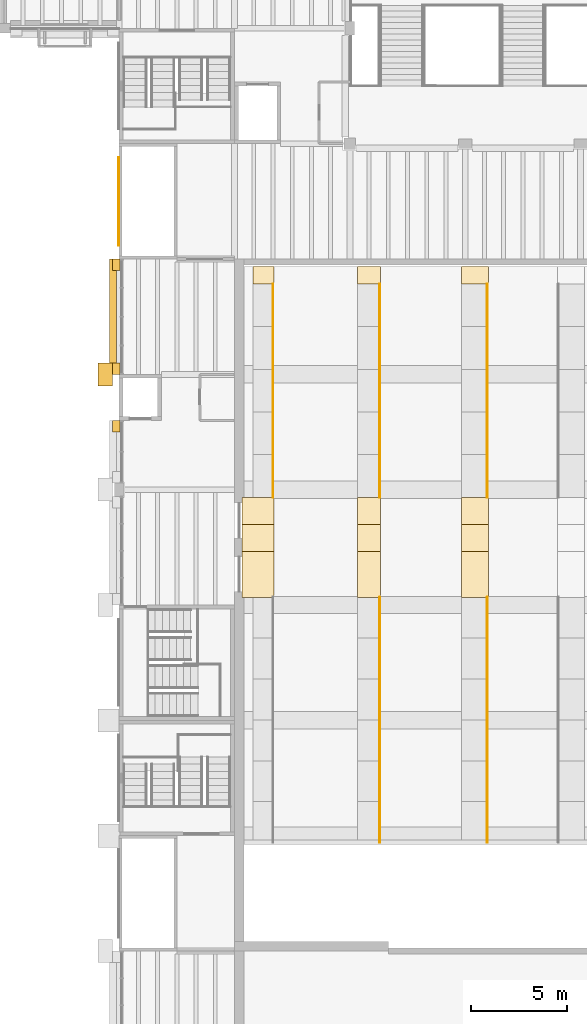
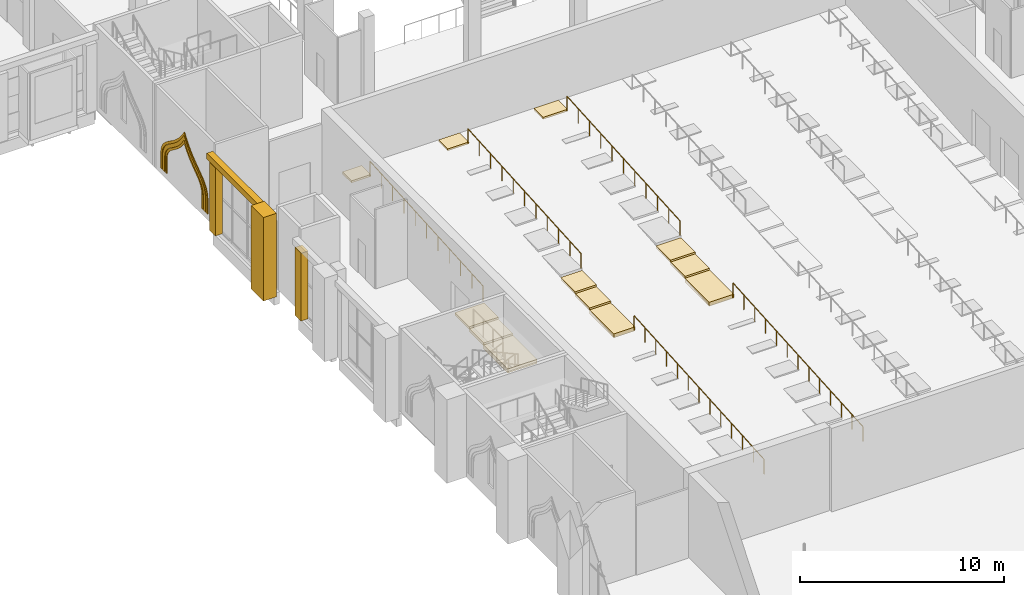
# One storey, part 70 of 80: 20 coverings, 5 railings.
"""IFC4 building model written with IfcOpenShell, lengths in metres."""

from ifc_helpers import new_model, si_unit, direction, frame, origin, origin_2d, place, context, subcontext, project, spatial, polyline, rectangle, circle, outline, extrude, material, layer, layer_set, type_object, element, save


model = new_model("IFC4")

# Units and contexts
model_context = context("Model", 3, precision=1e-05, world=origin(), true_north=direction((0.0, 1.0)))
body_context = subcontext(model_context, "Body", "Model", "MODEL_VIEW")
ifc_project = project(units=[si_unit("LENGTHUNIT", "METRE"), si_unit("AREAUNIT", "SQUARE_METRE"), si_unit("VOLUMEUNIT", "CUBIC_METRE"), si_unit("PLANEANGLEUNIT", "RADIAN"), si_unit("MASSUNIT", "GRAM", prefix="KILO")], contexts=[model_context])

# Site, building, storey
site_placement = place(None, origin())
site = spatial("IfcSite", under=ifc_project, at=site_placement, CompositionType="ELEMENT")
building_placement = place(site_placement, origin())
building = spatial("IfcBuilding", under=site, at=building_placement, Name="Saffron Lane Theatres", CompositionType="ELEMENT")
storey_placement = place(building_placement, frame((0.0, 0.0, 7.0)))
storey = spatial("IfcBuildingStorey", under=building, at=storey_placement, Name="L01", CompositionType="ELEMENT", Elevation=7.0)

# Coverings
ifc_material_1 = material(Name="Masonry sandstone", Category="masonry")
ifc_layer_1 = layer(ifc_material_1, 0.050048828125)
ifc_layer_set_1 = layer_set([ifc_layer_1], Name="Masonry sandstone")
covering_type_1 = type_object("IfcCoveringType", Name="EX-ARCH FRAME RING SANDSTONE 50", PredefinedType="CLADDING", material=ifc_layer_set_1)
covering_1_placement = place(storey_placement, frame((12.0, 91.172119140625, 1.409912109375), z_axis=(1.0, 0.0, 0.0), x_axis=(0.0, -0.070052199931, -0.997543327021)))
element("IfcCovering", 1, at=covering_1_placement, inside=storey, type_object=covering_type_1, Name="Arch recess ring L01", PredefinedType="CLADDING", context=body_context, shape_type="SweptSolid", body=[
    extrude(outline(polyline([(0.0, 0.0), (0.17425621553607237, 0.0), (1.0083836313192909, 0.05857636346792266), (0.9999691580853587, 0.17839846231911788), (0.16998193677464074, 0.12011284284505058), (0.008475358446763137, 0.11978447315787273), (-0.13122884085953554, 0.14007703572194855), (-0.25643688668396236, 0.1804774529010626), (-0.36863123134342224, 0.2376999755128916), (-0.475135202965496, 0.3114750667725438), (-0.5765939111647853, 0.40053371465977966), (-0.6771475504137906, 0.504585175180744), (-0.7805046458670767, 0.6206768575648959), (-0.8874854376390734, 0.7465484837988279), (-1.0033794141074037, 0.8808496335440211), (-1.1304680604944384, 1.021217413259825), (-1.2708235263469732, 1.16579311369611), (-1.4294062462519381, 1.3120257128456132), (-1.6092454305735489, 1.457744550255386), (-1.8116655037167557, 1.600898683587597), (-1.9675111254583906, 1.6942145076483905), (-1.8262369085852725, 1.8083954889152765), (-1.6458107634478316, 1.9784348903851732), (-1.4881023278349776, 2.147857914588097), (-1.3515135359357788, 2.314818850240701), (-1.2327415359800378, 2.477591704174759), (-1.1265180467990952, 2.634343763073707), (-1.0305314826159215, 2.7835241642691466), (-0.9421925116264172, 2.923112065977903), (-0.8560748247499679, 3.052509561727907), (-0.7710503352904147, 3.169593194208742), (-0.6830342611599683, 3.2719576554618297), (-0.5878864078861283, 3.3598936894810265), (-0.48479063997555455, 3.4322348997733356), (-0.3664578344764139, 3.4897379048262955), (-0.2309608717870813, 3.5293563916878172), (-0.07099352636784984, 3.551603437994116), (0.7589936949428681, 3.6098890574681834), (0.7505792217089358, 3.7297111563193788), (-0.08354819407428274, 3.6711347928514564), (-0.2560941508229705, 3.6467807077190995), (-0.41031365850955975, 3.6019315653822406), (-0.5452154511408824, 3.5364122353410514), (-0.6637521194874794, 3.4539312427500963), (-0.7689145641167288, 3.3552575199601846), (-0.8653772643463101, 3.2442234148620863), (-0.955088546986812, 3.1206921067528115), (-1.042043576565565, 2.9892778738407233), (-1.1314634311086964, 2.847656132382009), (-1.2263691117382427, 2.7005095709365277), (-1.330849505163083, 2.5468168229564525), (-1.4460155954915024, 2.388457804900878), (-1.5790497855270011, 2.226641327680726), (-1.7308537237022885, 2.0637514920456117), (-1.905776940165441, 1.8989933697111585), (-2.17500793078607, 1.679643102779874), (-1.8777629012280812, 1.5000734552431552), (-1.6815298602741167, 1.361379676828443), (-1.5084503027837648, 1.2213046934170393), (-1.354106288257454, 1.0796692698880261), (-1.2179382200199516, 0.9389601225182603), (-1.0930031314979913, 0.8013780123153483), (-0.9784636799892698, 0.6689396764413744), (-0.8701283632576645, 0.5412052363362231), (-0.7656602836960934, 0.423233637492978), (-0.659564721872447, 0.3134528100342753), (-0.5485306167743488, 0.2169901098046939), (-0.43060964159121035, 0.13398235750722476), (-0.3017088049930627, 0.0688775941960976), (-0.15897402711551847, 0.02285521433109288), (0.0, 0.0)])), origin(), (0.0, 0.0, -1.0), 0.050048828125),
])
covering_2_placement = place(storey_placement, frame((12.0, 90.9130859375, 1.43408203125), z_axis=(1.0, 0.0, 0.0), x_axis=(0.0, -0.066765192838, -0.997768715197)))
element("IfcCovering", 2, at=covering_2_placement, inside=storey, type_object=covering_type_1, Name="Arch recess ring L01", PredefinedType="CLADDING", context=body_context, shape_type="SweptSolid", body=[
    extrude(outline(polyline([(0.0, 0.0), (0.19746207851001016, -1.734723475976807e-18), (1.032752343258408, 0.05589302886792253), (1.0193862646139937, 0.2556416486094466), (0.19018589680893505, 0.20015612213921966), (0.01570333128541921, 0.20047035176588712), (-0.1331419000577435, 0.22354313752340954), (-0.26425806041849825, 0.2668878092249602), (-0.38470943025111837, 0.33003166408921236), (-0.49751605510296987, 0.4105704379697621), (-0.6073877571305295, 0.5094124084330288), (-0.717182486482969, 0.6253875908171841), (-0.8291243006908221, 0.7551662377526137), (-0.9480362170210368, 0.8976915596879602), (-1.0753952052750386, 1.0494391136635992), (-1.215228294702943, 1.2084266269049624), (-1.3715462144589585, 1.3724282307597484), (-1.5480997977236517, 1.5389907607938302), (-1.7475513934952998, 1.7040210818125767), (-1.9731329485680709, 1.8682816760801204), (-2.106857124274077, 1.9506016882190418), (-1.9852928201153064, 2.0500042008693606), (-1.7836072056434027, 2.242855163359225), (-1.6079211497053594, 2.4329876320760175), (-1.455133106274271, 2.621587891777475), (-1.32205912328281, 2.804954009570754), (-1.204654965824069, 2.9811544240907777), (-1.0986491032093144, 3.14851746994611), (-0.9997863048457212, 3.3056150776230493), (-0.9061331982464446, 3.4491510055046812), (-0.81276896556909, 3.5787204678759603), (-0.71704574678952, 3.691319719285429), (-0.6159751909913005, 3.7861699773730466), (-0.505010476977033, 3.86479892334973), (-0.3808381574730106, 3.9252260955626785), (-0.2363939520249598, 3.9679241967932186), (-0.06350879590041061, 3.9914823631844407), (0.7656915719046481, 4.046967889654668), (0.7523254932602339, 4.246716509396191), (-0.082964771488164, 4.190823480528269), (-0.2786664396401293, 4.164515125733044), (-0.45359091887492387, 4.112926227745671), (-0.6078197096720868, 4.037274765954816), (-0.7428804932425346, 3.9421075615578793), (-0.8625413084236253, 3.828885284260379), (-0.9702297031604206, 3.7012935668592486), (-1.0710457963503013, 3.5624167497246026), (-1.1684977308569842, 3.4134882067801335), (-1.2680424165660549, 3.2556109111822695), (-1.3722136128302955, 3.090083437238335), (-1.486062538259364, 2.919259337685241), (-1.6147373064774804, 2.743283502264392), (-1.759115405981016, 2.5642993935876657), (-1.9263100175119678, 2.3825650965069367), (-2.117458525540348, 2.2004513694159087), (-2.4500837160006714, 1.92763485308492), (-2.084075929121128, 1.7015670118175656), (-1.8703680883563218, 1.5465440441253384), (-1.6804511431298657, 1.3887056876454766), (-1.5135137108899042, 1.2305531015389473), (-1.362540411469887, 1.073289776220278), (-1.2269471580997835, 0.9191569748767946), (-1.1016510375390052, 0.7689841912780282), (-0.9819594332878663, 0.6257769819972043), (-0.8655341871444783, 0.49115992325980296), (-0.7471139903741495, 0.3669531924421973), (-0.6233863012640571, 0.25484656615349843), (-0.4897074036022392, 0.15857638860013262), (-0.3431713525126846, 0.08225209507263867), (-0.18023831050074463, 0.02782335815376883), (0.0, 0.0)])), origin(), (0.0, 0.0, -1.0), 0.050048828125),
])
covering_3_placement = place(storey_placement, frame((12.0, 90.715087890625, 1.447998046875), z_axis=(1.0, 0.0, 0.0), x_axis=(0.0, -0.071247049988, -0.997458699831)))
element("IfcCovering", 3, at=covering_3_placement, inside=storey, type_object=covering_type_1, Name="Arch recess ring L01", PredefinedType="CLADDING", context=body_context, shape_type="SweptSolid", body=[
    extrude(outline(polyline([(0.0, 0.0), (0.2124539718145333, 1.734723475976807e-18), (1.0465106238946769, 0.05957547514858168), (1.0365262960887538, 0.19935606443150206), (0.20660948724521258, 0.1400762923712491), (0.011114957261297426, 0.1390848173103822), (-0.15921002161604908, 0.16608076984486358), (-0.31007077956164, 0.21527184830331292), (-0.4476596871310651, 0.287684316345224), (-0.5766905994382706, 0.38077860627083254), (-0.700016181570663, 0.49337190572682355), (-0.8236374667913842, 0.6238117562784188), (-0.9483371985695395, 0.7693498586340927), (-1.0788292320190753, 0.9274466450940806), (-1.2200883367436393, 1.0957886738496934), (-1.374167040062219, 1.2722712346840026), (-1.5453965225038653, 1.4524239926734508), (-1.7378644444072395, 1.6352206841585444), (-1.9555541003151224, 1.8181739243374588), (-2.2028836422531324, 1.9980309792385782), (-2.398065074849405, 2.119443188446491), (-2.2221217372938127, 2.2673643098081078), (-2.0028665944477186, 2.4805488421938064), (-1.813390492026259, 2.6925853508248165), (-1.6488578148202926, 2.9008820851034343), (-1.5049721708993968, 3.1035430664044927), (-1.3775415341290294, 3.3001334372451554), (-1.261643317803482, 3.486843846075776), (-1.1549466858147521, 3.6618826800670687), (-1.0521985597701764, 3.823667057981509), (-0.9483719871681664, 3.970353184091871), (-0.8423015499547208, 4.099331913501136), (-0.7278122718735633, 4.209820502740199), (-0.6019123334427796, 4.301053602639268), (-0.4595747821607814, 4.371187417471116), (-0.2948159790637404, 4.422117925860912), (-0.10116524480705141, 4.448922541102945), (0.7287515640364899, 4.508202313163198), (0.718767236230567, 4.647982902446119), (-0.1152894158495765, 4.588407427297536), (-0.32558649454924143, 4.558210923689379), (-0.5110097252306665, 4.501888182512413), (-0.6746205045730195, 4.421178633697985), (-0.8176886164261827, 4.31672586632069), (-0.944301721128818, 4.194356970650538), (-1.0596433198763349, 4.054680747163498), (-1.1679054388032757, 3.901558730307158), (-1.2732974983434966, 3.7356692977547428), (-1.3812117312841683, 3.560543492266883), (-1.4952313632838625, 3.374946318592323), (-1.6207486271297502, 3.1824088194916955), (-1.7611032282900148, 2.985140070977808), (-1.9211133876744824, 2.7820616264932267), (-2.10403183925477, 2.5775916380635686), (-2.3159987706885268, 2.3720258087771633), (-2.6354972604780587, 2.1024837466158726), (-2.280931863272602, 1.8810891049542235), (-2.0418994021071106, 1.707737517996336), (-1.83177626640058, 1.5313419286585939), (-1.6445266342912426, 1.3530677549949988), (-1.4775587551813927, 1.1777506122146908), (-1.3259500423653234, 1.0050078257327741), (-1.1867086763611199, 0.8375007233442073), (-1.0549990419596424, 0.6794909083807867), (-0.9270987591078116, 0.5302652145706606), (-0.7981722125964867, 0.39408524524562516), (-0.6641491363863198, 0.27222078425556295), (-0.5214289105194256, 0.16908998362609123), (-0.36496718819490237, 0.08603220440434596), (-0.19154602403976098, 0.029396365839738113), (0.0, 0.0)])), origin(), (0.0, 0.0, -1.0), 0.050048828125),
])
ifc_material_2 = material(Name="Masonry sandstone", Category="masonry")
ifc_layer_2 = layer(ifc_material_2, 1.199951171875)
ifc_layer_set_2 = layer_set([ifc_layer_2], Name="Masonry sandstone")
covering_type_2 = type_object("IfcCoveringType", Name="EX-FLANK BUTTRESS PIER SANDSTONE 1200", PredefinedType="CLADDING", material=ifc_layer_set_2)
covering_4_placement = place(storey_placement, frame((11.27490234375, 84.0, 0.0), z_axis=(0.0, 0.0, 1.0), x_axis=(0.0, 1.0, 0.0)))
element("IfcCovering", 4, at=covering_4_placement, inside=storey, type_object=covering_type_2, Name="Flank buttress west L01", PredefinedType="CLADDING", context=body_context, shape_type="SweptSolid", body=[
    extrude(rectangle(XDim=1.199951171875, YDim=0.75, at=origin_2d()), origin(), (0.0, 0.0, 1.0), 5.0),
])
ifc_material_3 = material(Name="Masonry sandstone", Category="masonry")
ifc_layer_3 = layer(ifc_material_3, 0.39990234375)
ifc_layer_set_3 = layer_set([ifc_layer_3], Name="Masonry sandstone")
covering_type_3 = type_object("IfcCoveringType", Name="EX-PILASTER PIER SANDSTONE 400", PredefinedType="CLADDING", material=ifc_layer_set_3)
for number, where, z_axis, x_axis, name in (
    (5, (11.85009765625, 81.300048828125, 0.0), (0.0, 0.0, 1.0), (0.0, 1.0, 0.0), "Pilaster pier L01"),
    (6, (11.85009765625, 84.300048828125, 0.0), (0.0, 0.0, 1.0), (0.0, 1.0, 0.0), "Pilaster pier L01"),
    (7, (11.85009765625, 89.699951171875, 0.0), (0.0, 0.0, 1.0), (0.0, 1.0, 0.0), "Pilaster pier L01"),
):
    element("IfcCovering", number, at=place(storey_placement, frame(where, z_axis=z_axis, x_axis=x_axis)), inside=storey, type_object=covering_type_3, Name=name, PredefinedType="CLADDING", context=body_context, shape_type="SweptSolid", body=[
        extrude(rectangle(XDim=0.60009765625, YDim=0.39990234375, at=origin_2d()), origin(), (0.0, 0.0, 1.0), 4.050048828125),
    ])
ifc_material_4 = material(Name="Masonry sandstone", Category="masonry")
ifc_layer_4 = layer(ifc_material_4, 0.300048828125)
ifc_layer_set_4 = layer_set([ifc_layer_4], Name="Masonry sandstone")
covering_type_4 = type_object("IfcCoveringType", Name="EX-STRING COURSE SANDSTONE 350", PredefinedType="CLADDING", material=ifc_layer_set_4)
covering_5_placement = place(storey_placement, frame((11.675048828125, 87.0, 4.300048828125), z_axis=(0.0, 0.0, 1.0), x_axis=(0.0, 1.0, 0.0)))
element("IfcCovering", 8, at=covering_5_placement, inside=storey, type_object=covering_type_4, Name="String course L01", PredefinedType="CLADDING", context=body_context, shape_type="SweptSolid", body=[
    extrude(rectangle(XDim=6.0, YDim=0.35009765625, at=origin_2d()), origin(), (0.0, 0.0, 1.0), 0.35009765625),
])
ifc_material_5 = material(Name="Cement screed", Category="screed")
covering_type_5 = type_object("IfcCoveringType", Name="VC-AISLE PLATFORM", PredefinedType="FLOORING", material=ifc_material_5)
covering_6_placement = place(storey_placement, frame((0.0, 0.0, -0.258056640625)))
element("IfcCovering", 9, at=covering_6_placement, inside=storey, type_object=covering_type_5, Name="Stalls aisle 1 part 1 landing 1", PredefinedType="FLOORING", context=body_context, shape_type="SweptSolid", body=[
    extrude(outline(polyline([(18.39990234375, 72.39990234375), (20.050048828125, 72.39990234375), (20.050048828125, 74.77490234375), (18.39990234375, 74.77490234375), (18.39990234375, 72.39990234375)])), origin(), (0.0, 0.0, 1.0), 0.239990234375),
])
covering_7_placement = place(storey_placement, frame((0.0, 0.0, -0.068115234375)))
element("IfcCovering", 10, at=covering_7_placement, inside=storey, type_object=covering_type_5, Name="Stalls aisle 1 part 1 landing 2", PredefinedType="FLOORING", context=body_context, shape_type="SweptSolid", body=[
    extrude(outline(polyline([(18.39990234375, 74.77490234375), (20.050048828125, 74.77490234375), (20.050048828125, 76.1875), (18.39990234375, 76.1875), (18.39990234375, 74.77490234375)])), origin(), (0.0, 0.0, 1.0), 0.1630859375),
])
covering_8_placement = place(storey_placement, frame((0.0, 0.0, 0.044921875)))
element("IfcCovering", 11, at=covering_8_placement, inside=storey, type_object=covering_type_5, Name="Stalls aisle 1 part 1 landing 3", PredefinedType="FLOORING", context=body_context, shape_type="SweptSolid", body=[
    extrude(outline(polyline([(18.39990234375, 76.1875), (20.050048828125, 76.1875), (20.050048828125, 77.60009765625), (18.39990234375, 77.60009765625), (18.39990234375, 76.1875)])), origin(), (0.0, 0.0, 1.0), 0.1630859375),
])
covering_9_placement = place(storey_placement, frame((0.0, 0.0, 1.0458984375)))
element("IfcCovering", 12, at=covering_9_placement, inside=storey, type_object=covering_type_5, Name="Stalls aisle 1 part 2 landing 1", PredefinedType="FLOORING", context=body_context, shape_type="SweptSolid", body=[
    extrude(outline(polyline([(18.949951171875, 88.699951171875), (20.050048828125, 88.699951171875), (20.050048828125, 89.60009765625), (18.949951171875, 89.60009765625), (18.949951171875, 88.699951171875)])), origin(), (0.0, 0.0, 1.0), 0.1220703125),
])
covering_10_placement = place(storey_placement, frame((0.0, 0.0, -0.258056640625)))
element("IfcCovering", 13, at=covering_10_placement, inside=storey, type_object=covering_type_5, Name="Stalls aisle 2 part 1 landing 1", PredefinedType="FLOORING", context=body_context, shape_type="SweptSolid", body=[
    extrude(outline(polyline([(24.39990234375, 72.39990234375), (25.60009765625, 72.39990234375), (25.60009765625, 74.77490234375), (24.39990234375, 74.77490234375), (24.39990234375, 72.39990234375)])), origin(), (0.0, 0.0, 1.0), 0.239990234375),
])
covering_11_placement = place(storey_placement, frame((0.0, 0.0, -0.068115234375)))
element("IfcCovering", 14, at=covering_11_placement, inside=storey, type_object=covering_type_5, Name="Stalls aisle 2 part 1 landing 2", PredefinedType="FLOORING", context=body_context, shape_type="SweptSolid", body=[
    extrude(outline(polyline([(24.39990234375, 74.77490234375), (25.60009765625, 74.77490234375), (25.60009765625, 76.1875), (24.39990234375, 76.1875), (24.39990234375, 74.77490234375)])), origin(), (0.0, 0.0, 1.0), 0.1630859375),
])
covering_12_placement = place(storey_placement, frame((0.0, 0.0, 0.044921875)))
element("IfcCovering", 15, at=covering_12_placement, inside=storey, type_object=covering_type_5, Name="Stalls aisle 2 part 1 landing 3", PredefinedType="FLOORING", context=body_context, shape_type="SweptSolid", body=[
    extrude(outline(polyline([(24.39990234375, 76.1875), (25.60009765625, 76.1875), (25.60009765625, 77.60009765625), (24.39990234375, 77.60009765625), (24.39990234375, 76.1875)])), origin(), (0.0, 0.0, 1.0), 0.1630859375),
])
covering_13_placement = place(storey_placement, frame((0.0, 0.0, 1.0458984375)))
element("IfcCovering", 16, at=covering_13_placement, inside=storey, type_object=covering_type_5, Name="Stalls aisle 2 part 2 landing 1", PredefinedType="FLOORING", context=body_context, shape_type="SweptSolid", body=[
    extrude(outline(polyline([(24.39990234375, 88.699951171875), (25.60009765625, 88.699951171875), (25.60009765625, 89.60009765625), (24.39990234375, 89.60009765625), (24.39990234375, 88.699951171875)])), origin(), (0.0, 0.0, 1.0), 0.1220703125),
])
covering_14_placement = place(storey_placement, frame((0.0, 0.0, -0.258056640625)))
element("IfcCovering", 17, at=covering_14_placement, inside=storey, type_object=covering_type_5, Name="Stalls aisle 3 part 1 landing 1", PredefinedType="FLOORING", context=body_context, shape_type="SweptSolid", body=[
    extrude(outline(polyline([(29.800048828125, 72.39990234375), (31.199951171875, 72.39990234375), (31.199951171875, 74.77490234375), (29.800048828125, 74.77490234375), (29.800048828125, 72.39990234375)])), origin(), (0.0, 0.0, 1.0), 0.239990234375),
])
covering_15_placement = place(storey_placement, frame((0.0, 0.0, -0.068115234375)))
element("IfcCovering", 18, at=covering_15_placement, inside=storey, type_object=covering_type_5, Name="Stalls aisle 3 part 1 landing 2", PredefinedType="FLOORING", context=body_context, shape_type="SweptSolid", body=[
    extrude(outline(polyline([(29.800048828125, 74.77490234375), (31.199951171875, 74.77490234375), (31.199951171875, 76.1875), (29.800048828125, 76.1875), (29.800048828125, 74.77490234375)])), origin(), (0.0, 0.0, 1.0), 0.1630859375),
])
covering_16_placement = place(storey_placement, frame((0.0, 0.0, 0.044921875)))
element("IfcCovering", 19, at=covering_16_placement, inside=storey, type_object=covering_type_5, Name="Stalls aisle 3 part 1 landing 3", PredefinedType="FLOORING", context=body_context, shape_type="SweptSolid", body=[
    extrude(outline(polyline([(29.800048828125, 76.1875), (31.199951171875, 76.1875), (31.199951171875, 77.60009765625), (29.800048828125, 77.60009765625), (29.800048828125, 76.1875)])), origin(), (0.0, 0.0, 1.0), 0.1630859375),
])
covering_17_placement = place(storey_placement, frame((0.0, 0.0, 1.0458984375)))
element("IfcCovering", 20, at=covering_17_placement, inside=storey, type_object=covering_type_5, Name="Stalls aisle 3 part 2 landing 1", PredefinedType="FLOORING", context=body_context, shape_type="SweptSolid", body=[
    extrude(outline(polyline([(29.800048828125, 88.699951171875), (31.199951171875, 88.699951171875), (31.199951171875, 89.60009765625), (29.800048828125, 89.60009765625), (29.800048828125, 88.699951171875)])), origin(), (0.0, 0.0, 1.0), 0.1220703125),
])

# Railings
ifc_material_6 = material(Name="Steel Grade 350", Category="steel")
railing_type = type_object("IfcRailingType", Name="VC-HANDRAIL 900", PredefinedType="HANDRAIL", material=ifc_material_6)
railing_1_placement = place(storey_placement, frame((20.0, 77.60009765625, 0.35595703125)))
element("IfcRailing", 21, at=railing_1_placement, inside=storey, type_object=railing_type, Name="Stalls aisle 1 part 2 handrail", PredefinedType="HANDRAIL", context=body_context, shape_type="SweptSolid", body=[
    extrude(circle(Radius=0.02392578125, at=origin_2d()), frame((0.0, 0.0, 0.8759765625), z_axis=(0.0, 0.997782972411, 0.066551784094), x_axis=(-1.0, 0.0, 0.0)), (0.0, 0.0, 1.0), 4.44970703125),
    extrude(circle(Radius=0.02392578125, at=origin_2d()), frame((0.0, 4.43994140625, 1.171875), z_axis=(0.0, 0.997786614227, 0.066497161357), x_axis=(-1.0, 0.0, 0.0)), (0.0, 0.0, 1.0), 4.44970703125),
    extrude(circle(Radius=0.02392578125, at=origin_2d()), frame((0.0, 8.8798828125, 1.4677734375), z_axis=(0.0, 0.997786614227, 0.066497161357), x_axis=(-1.0, 0.0, 0.0)), (0.0, 0.0, 1.0), 2.224853515625),
    extrude(circle(Radius=0.02099609375, at=origin_2d()), origin(), (0.0, 0.0, 1.0), 0.851806640625),
    extrude(circle(Radius=0.02099609375, at=origin_2d()), frame((0.0, 1.10986328125, 0.073974609375)), (0.0, 0.0, 1.0), 0.851806640625),
    extrude(circle(Radius=0.02099609375, at=origin_2d()), frame((0.0, 2.219970703125, 0.14794921875)), (0.0, 0.0, 1.0), 0.851806640625),
    extrude(circle(Radius=0.02099609375, at=origin_2d()), frame((0.0, 3.330078125, 0.22216796875)), (0.0, 0.0, 1.0), 0.851806640625),
    extrude(circle(Radius=0.02099609375, at=origin_2d()), frame((0.0, 4.43994140625, 0.296142578125)), (0.0, 0.0, 1.0), 0.851806640625),
    extrude(circle(Radius=0.02099609375, at=origin_2d()), frame((0.0, 5.5498046875, 0.3701171875)), (0.0, 0.0, 1.0), 0.851806640625),
    extrude(circle(Radius=0.02099609375, at=origin_2d()), frame((0.0, 6.659912109375, 0.444091796875)), (0.0, 0.0, 1.0), 0.851806640625),
    extrude(circle(Radius=0.02099609375, at=origin_2d()), frame((0.0, 7.77001953125, 0.51806640625)), (0.0, 0.0, 1.0), 0.851806640625),
    extrude(circle(Radius=0.02099609375, at=origin_2d()), frame((0.0, 8.8798828125, 0.592041015625)), (0.0, 0.0, 1.0), 0.851806640625),
    extrude(circle(Radius=0.02099609375, at=origin_2d()), frame((0.0, 9.98974609375, 0.666015625)), (0.0, 0.0, 1.0), 0.851806640625),
    extrude(circle(Radius=0.02099609375, at=origin_2d()), frame((0.0, 11.099853515625, 0.739990234375)), (0.0, 0.0, 1.0), 0.851806640625),
])
railing_2_placement = place(storey_placement, frame((25.550048828125, 59.64990234375, -1.082275390625)))
element("IfcRailing", 22, at=railing_2_placement, inside=storey, type_object=railing_type, Name="Stalls aisle 2 part 1 handrail", PredefinedType="HANDRAIL", context=body_context, shape_type="SweptSolid", body=[
    extrude(circle(Radius=0.02392578125, at=origin_2d()), frame((0.0, 0.0, 0.8759765625), z_axis=(0.0, 0.997656031066, 0.068428383565), x_axis=(-1.0, 0.0, 0.0)), (0.0, 0.0, 1.0), 4.260009765625),
    extrude(circle(Radius=0.02392578125, at=origin_2d()), frame((0.0, 4.25, 1.16748046875), z_axis=(0.0, 0.997659941903, 0.068371341377), x_axis=(-1.0, 0.0, 0.0)), (0.0, 0.0, 1.0), 4.260009765625),
    extrude(circle(Radius=0.02392578125, at=origin_2d()), frame((0.0, 8.5, 1.45849609375), z_axis=(0.0, 0.997656031066, 0.068428383565), x_axis=(-1.0, 0.0, 0.0)), (0.0, 0.0, 1.0), 4.260009765625),
    extrude(circle(Radius=0.02099609375, at=origin_2d()), origin(), (0.0, 0.0, 1.0), 0.851806640625),
    extrude(circle(Radius=0.02099609375, at=origin_2d()), frame((0.0, 1.0625, 0.07275390625)), (0.0, 0.0, 1.0), 0.851806640625),
    extrude(circle(Radius=0.02099609375, at=origin_2d()), frame((0.0, 2.125, 0.145751953125)), (0.0, 0.0, 1.0), 0.851806640625),
    extrude(circle(Radius=0.02099609375, at=origin_2d()), frame((0.0, 3.1875, 0.21875)), (0.0, 0.0, 1.0), 0.851806640625),
    extrude(circle(Radius=0.02099609375, at=origin_2d()), frame((0.0, 4.25, 0.29150390625)), (0.0, 0.0, 1.0), 0.851806640625),
    extrude(circle(Radius=0.02099609375, at=origin_2d()), frame((0.0, 5.3125, 0.3642578125)), (0.0, 0.0, 1.0), 0.851806640625),
    extrude(circle(Radius=0.02099609375, at=origin_2d()), frame((0.0, 6.375, 0.43701171875)), (0.0, 0.0, 1.0), 0.851806640625),
    extrude(circle(Radius=0.02099609375, at=origin_2d()), frame((0.0, 7.4375, 0.510009765625)), (0.0, 0.0, 1.0), 0.851806640625),
    extrude(circle(Radius=0.02099609375, at=origin_2d()), frame((0.0, 8.5, 0.582763671875)), (0.0, 0.0, 1.0), 0.851806640625),
    extrude(circle(Radius=0.02099609375, at=origin_2d()), frame((0.0, 9.5625, 0.65576171875)), (0.0, 0.0, 1.0), 0.851806640625),
    extrude(circle(Radius=0.02099609375, at=origin_2d()), frame((0.0, 10.625, 0.728515625)), (0.0, 0.0, 1.0), 0.851806640625),
    extrude(circle(Radius=0.02099609375, at=origin_2d()), frame((0.0, 11.6875, 0.80126953125)), (0.0, 0.0, 1.0), 0.851806640625),
    extrude(circle(Radius=0.02099609375, at=origin_2d()), frame((0.0, 12.75, 0.874267578125)), (0.0, 0.0, 1.0), 0.851806640625),
])
railing_3_placement = place(storey_placement, frame((25.550048828125, 77.60009765625, 0.35595703125)))
element("IfcRailing", 23, at=railing_3_placement, inside=storey, type_object=railing_type, Name="Stalls aisle 2 part 2 handrail", PredefinedType="HANDRAIL", context=body_context, shape_type="SweptSolid", body=[
    extrude(circle(Radius=0.02392578125, at=origin_2d()), frame((0.0, 0.0, 0.8759765625), z_axis=(0.0, 0.997782972411, 0.066551784094), x_axis=(-1.0, 0.0, 0.0)), (0.0, 0.0, 1.0), 4.44970703125),
    extrude(circle(Radius=0.02392578125, at=origin_2d()), frame((0.0, 4.43994140625, 1.171875), z_axis=(0.0, 0.997786614227, 0.066497161357), x_axis=(-1.0, 0.0, 0.0)), (0.0, 0.0, 1.0), 4.44970703125),
    extrude(circle(Radius=0.02392578125, at=origin_2d()), frame((0.0, 8.8798828125, 1.4677734375), z_axis=(0.0, 0.997786614227, 0.066497161357), x_axis=(-1.0, 0.0, 0.0)), (0.0, 0.0, 1.0), 2.224853515625),
    extrude(circle(Radius=0.02099609375, at=origin_2d()), origin(), (0.0, 0.0, 1.0), 0.851806640625),
    extrude(circle(Radius=0.02099609375, at=origin_2d()), frame((0.0, 1.10986328125, 0.073974609375)), (0.0, 0.0, 1.0), 0.851806640625),
    extrude(circle(Radius=0.02099609375, at=origin_2d()), frame((0.0, 2.219970703125, 0.14794921875)), (0.0, 0.0, 1.0), 0.851806640625),
    extrude(circle(Radius=0.02099609375, at=origin_2d()), frame((0.0, 3.330078125, 0.22216796875)), (0.0, 0.0, 1.0), 0.851806640625),
    extrude(circle(Radius=0.02099609375, at=origin_2d()), frame((0.0, 4.43994140625, 0.296142578125)), (0.0, 0.0, 1.0), 0.851806640625),
    extrude(circle(Radius=0.02099609375, at=origin_2d()), frame((0.0, 5.5498046875, 0.3701171875)), (0.0, 0.0, 1.0), 0.851806640625),
    extrude(circle(Radius=0.02099609375, at=origin_2d()), frame((0.0, 6.659912109375, 0.444091796875)), (0.0, 0.0, 1.0), 0.851806640625),
    extrude(circle(Radius=0.02099609375, at=origin_2d()), frame((0.0, 7.77001953125, 0.51806640625)), (0.0, 0.0, 1.0), 0.851806640625),
    extrude(circle(Radius=0.02099609375, at=origin_2d()), frame((0.0, 8.8798828125, 0.592041015625)), (0.0, 0.0, 1.0), 0.851806640625),
    extrude(circle(Radius=0.02099609375, at=origin_2d()), frame((0.0, 9.98974609375, 0.666015625)), (0.0, 0.0, 1.0), 0.851806640625),
    extrude(circle(Radius=0.02099609375, at=origin_2d()), frame((0.0, 11.099853515625, 0.739990234375)), (0.0, 0.0, 1.0), 0.851806640625),
])
railing_4_placement = place(storey_placement, frame((31.14990234375, 59.64990234375, -1.082275390625)))
element("IfcRailing", 24, at=railing_4_placement, inside=storey, type_object=railing_type, Name="Stalls aisle 3 part 1 handrail", PredefinedType="HANDRAIL", context=body_context, shape_type="SweptSolid", body=[
    extrude(circle(Radius=0.02392578125, at=origin_2d()), frame((0.0, 0.0, 0.8759765625), z_axis=(0.0, 0.997656031066, 0.068428383565), x_axis=(-1.0, 0.0, 0.0)), (0.0, 0.0, 1.0), 4.260009765625),
    extrude(circle(Radius=0.02392578125, at=origin_2d()), frame((0.0, 4.25, 1.16748046875), z_axis=(0.0, 0.997659941903, 0.068371341377), x_axis=(-1.0, 0.0, 0.0)), (0.0, 0.0, 1.0), 4.260009765625),
    extrude(circle(Radius=0.02392578125, at=origin_2d()), frame((0.0, 8.5, 1.45849609375), z_axis=(0.0, 0.997656031066, 0.068428383565), x_axis=(-1.0, 0.0, 0.0)), (0.0, 0.0, 1.0), 4.260009765625),
    extrude(circle(Radius=0.02099609375, at=origin_2d()), origin(), (0.0, 0.0, 1.0), 0.851806640625),
    extrude(circle(Radius=0.02099609375, at=origin_2d()), frame((0.0, 1.0625, 0.07275390625)), (0.0, 0.0, 1.0), 0.851806640625),
    extrude(circle(Radius=0.02099609375, at=origin_2d()), frame((0.0, 2.125, 0.145751953125)), (0.0, 0.0, 1.0), 0.851806640625),
    extrude(circle(Radius=0.02099609375, at=origin_2d()), frame((0.0, 3.1875, 0.21875)), (0.0, 0.0, 1.0), 0.851806640625),
    extrude(circle(Radius=0.02099609375, at=origin_2d()), frame((0.0, 4.25, 0.29150390625)), (0.0, 0.0, 1.0), 0.851806640625),
    extrude(circle(Radius=0.02099609375, at=origin_2d()), frame((0.0, 5.3125, 0.3642578125)), (0.0, 0.0, 1.0), 0.851806640625),
    extrude(circle(Radius=0.02099609375, at=origin_2d()), frame((0.0, 6.375, 0.43701171875)), (0.0, 0.0, 1.0), 0.851806640625),
    extrude(circle(Radius=0.02099609375, at=origin_2d()), frame((0.0, 7.4375, 0.510009765625)), (0.0, 0.0, 1.0), 0.851806640625),
    extrude(circle(Radius=0.02099609375, at=origin_2d()), frame((0.0, 8.5, 0.582763671875)), (0.0, 0.0, 1.0), 0.851806640625),
    extrude(circle(Radius=0.02099609375, at=origin_2d()), frame((0.0, 9.5625, 0.65576171875)), (0.0, 0.0, 1.0), 0.851806640625),
    extrude(circle(Radius=0.02099609375, at=origin_2d()), frame((0.0, 10.625, 0.728515625)), (0.0, 0.0, 1.0), 0.851806640625),
    extrude(circle(Radius=0.02099609375, at=origin_2d()), frame((0.0, 11.6875, 0.80126953125)), (0.0, 0.0, 1.0), 0.851806640625),
    extrude(circle(Radius=0.02099609375, at=origin_2d()), frame((0.0, 12.75, 0.874267578125)), (0.0, 0.0, 1.0), 0.851806640625),
])
railing_5_placement = place(storey_placement, frame((31.14990234375, 77.60009765625, 0.35595703125)))
element("IfcRailing", 25, at=railing_5_placement, inside=storey, type_object=railing_type, Name="Stalls aisle 3 part 2 handrail", PredefinedType="HANDRAIL", context=body_context, shape_type="SweptSolid", body=[
    extrude(circle(Radius=0.02392578125, at=origin_2d()), frame((0.0, 0.0, 0.8759765625), z_axis=(0.0, 0.997782972411, 0.066551784094), x_axis=(-1.0, 0.0, 0.0)), (0.0, 0.0, 1.0), 4.44970703125),
    extrude(circle(Radius=0.02392578125, at=origin_2d()), frame((0.0, 4.43994140625, 1.171875), z_axis=(0.0, 0.997786614227, 0.066497161357), x_axis=(-1.0, 0.0, 0.0)), (0.0, 0.0, 1.0), 4.44970703125),
    extrude(circle(Radius=0.02392578125, at=origin_2d()), frame((0.0, 8.8798828125, 1.4677734375), z_axis=(0.0, 0.997786614227, 0.066497161357), x_axis=(-1.0, 0.0, 0.0)), (0.0, 0.0, 1.0), 2.224853515625),
    extrude(circle(Radius=0.02099609375, at=origin_2d()), origin(), (0.0, 0.0, 1.0), 0.851806640625),
    extrude(circle(Radius=0.02099609375, at=origin_2d()), frame((0.0, 1.10986328125, 0.073974609375)), (0.0, 0.0, 1.0), 0.851806640625),
    extrude(circle(Radius=0.02099609375, at=origin_2d()), frame((0.0, 2.219970703125, 0.14794921875)), (0.0, 0.0, 1.0), 0.851806640625),
    extrude(circle(Radius=0.02099609375, at=origin_2d()), frame((0.0, 3.330078125, 0.22216796875)), (0.0, 0.0, 1.0), 0.851806640625),
    extrude(circle(Radius=0.02099609375, at=origin_2d()), frame((0.0, 4.43994140625, 0.296142578125)), (0.0, 0.0, 1.0), 0.851806640625),
    extrude(circle(Radius=0.02099609375, at=origin_2d()), frame((0.0, 5.5498046875, 0.3701171875)), (0.0, 0.0, 1.0), 0.851806640625),
    extrude(circle(Radius=0.02099609375, at=origin_2d()), frame((0.0, 6.659912109375, 0.444091796875)), (0.0, 0.0, 1.0), 0.851806640625),
    extrude(circle(Radius=0.02099609375, at=origin_2d()), frame((0.0, 7.77001953125, 0.51806640625)), (0.0, 0.0, 1.0), 0.851806640625),
    extrude(circle(Radius=0.02099609375, at=origin_2d()), frame((0.0, 8.8798828125, 0.592041015625)), (0.0, 0.0, 1.0), 0.851806640625),
    extrude(circle(Radius=0.02099609375, at=origin_2d()), frame((0.0, 9.98974609375, 0.666015625)), (0.0, 0.0, 1.0), 0.851806640625),
    extrude(circle(Radius=0.02099609375, at=origin_2d()), frame((0.0, 11.099853515625, 0.739990234375)), (0.0, 0.0, 1.0), 0.851806640625),
])

save(model, "model.ifc")
